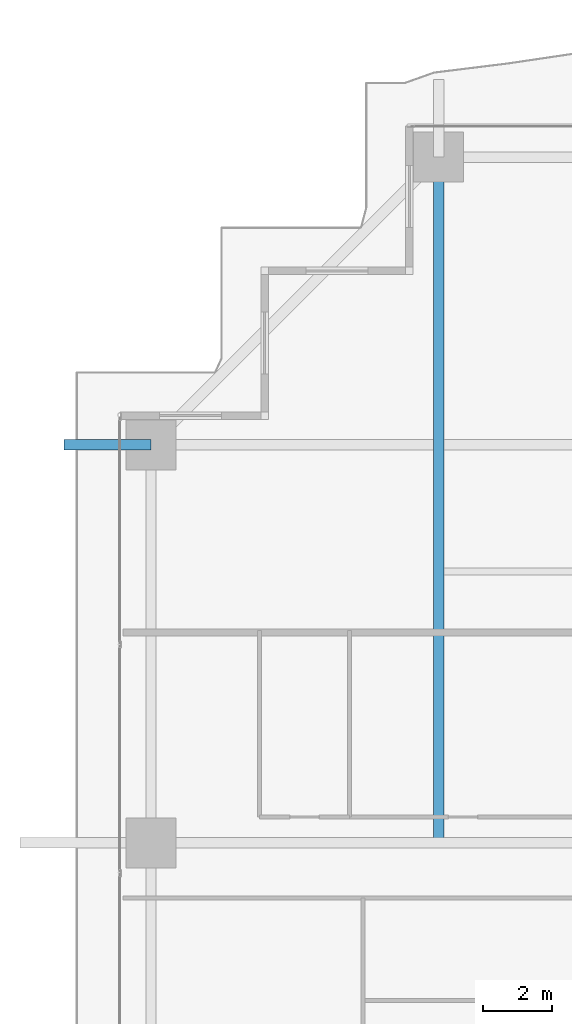
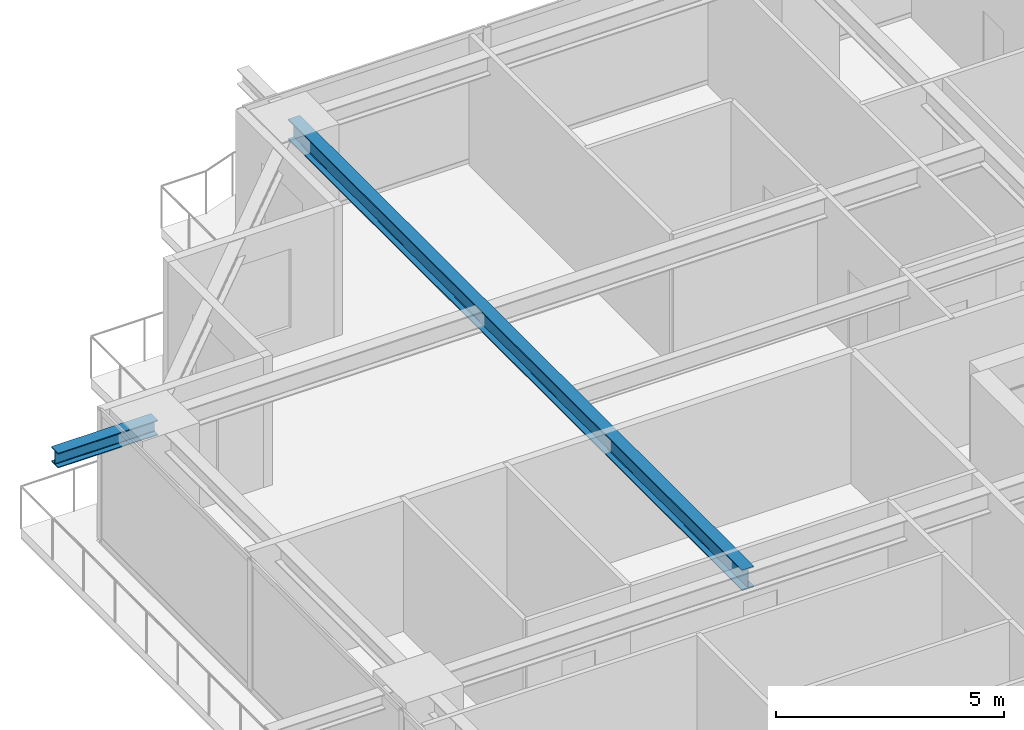
# One storey, part 16 of 38: 2 beams.
"""IFC4 building model written with IfcOpenShell, lengths in metres."""

from ifc_helpers import new_model, si_unit, direction, frame, origin, origin_2d, place, context, subcontext, project, spatial, i_section, extrude, source, transform, mapped, material, material_profile, profile_set, type_object, element, save


model = new_model("IFC4")

# Units and contexts
model_context = context("Model", 3, precision=1e-05, world=origin(), true_north=direction((0.0, 1.0)))
body_context = subcontext(model_context, "Body", "Model", "MODEL_VIEW")
ifc_project = project(units=[si_unit("LENGTHUNIT", "METRE"), si_unit("AREAUNIT", "SQUARE_METRE"), si_unit("VOLUMEUNIT", "CUBIC_METRE"), si_unit("PLANEANGLEUNIT", "RADIAN"), si_unit("MASSUNIT", "GRAM", prefix="KILO")], contexts=[model_context])

# Site, building, storey
site_placement = place(None, origin())
site = spatial("IfcSite", under=ifc_project, at=site_placement, CompositionType="ELEMENT")
building_placement = place(site_placement, origin())
building = spatial("IfcBuilding", under=site, at=building_placement, Name="Serunith Strait Residences", CompositionType="ELEMENT")
storey_placement = place(building_placement, frame((0.0, 0.0, 52.949951171875)))
storey = spatial("IfcBuildingStorey", under=building, at=storey_placement, Name="L12", CompositionType="ELEMENT", Elevation=52.949951171875)

# Beams
ifc_material = material(Name="Steel S355J2", Category="steel")
ifc_material_profile_1 = material_profile(ifc_material, i_section(OverallWidth=0.300048828125, OverallDepth=0.550048828125, WebThickness=0.014892578125, FlangeThickness=0.029052734375, FilletRadius=0.027099609375, at=origin_2d()), Name="HEB 550")
ifc_profile_set_1 = profile_set([ifc_material_profile_1], Name="Steel S355J2")
beam_type_1 = type_object("IfcBeamType", Name="BM-HEB550", PredefinedType="BEAM", material=ifc_profile_set_1)
shared_shape_1 = source(origin(), body_context, "Body", "SweptSolid", [
    extrude(i_section(OverallWidth=0.300048828125, OverallDepth=0.550048828125, WebThickness=0.014892578125, FlangeThickness=0.029052734375, FilletRadius=0.027099609375, at=origin_2d()), origin(), (0.0, 0.0, 1.0), 19.900146484375),
])
beam_1_placement = place(storey_placement, frame((15.25, 29.39990234375, 3.212158203125), z_axis=(0.0, 1.0, 0.0), x_axis=(-1.0, 0.0, 0.0)))
element("IfcBeam", 1, at=beam_1_placement, inside=storey, type_object=beam_type_1, Name="L12 Orthogonal Corner Girder TC-N1", PredefinedType="BEAM", context=body_context, shape_type="MappedRepresentation", body=[
    mapped(shared_shape_1, transform((0.0, 0.0, 0.0), scale=1.0)),
])
ifc_material_profile_2 = material_profile(ifc_material, i_section(OverallWidth=0.300048828125, OverallDepth=0.39990234375, WebThickness=0.013427734375, FlangeThickness=0.02392578125, FilletRadius=0.027099609375, at=origin_2d()), Name="HEB 400")
ifc_profile_set_2 = profile_set([ifc_material_profile_2], Name="Steel S355J2")
beam_type_2 = type_object("IfcBeamType", Name="BM-HEB400", PredefinedType="BEAM", material=ifc_profile_set_2)
shared_shape_2 = source(origin(), body_context, "Body", "SweptSolid", [
    extrude(i_section(OverallWidth=0.300048828125, OverallDepth=0.39990234375, WebThickness=0.013427734375, FlangeThickness=0.02392578125, FilletRadius=0.027099609375, at=origin_2d()), origin(), (0.0, 0.0, 1.0), 2.525146484375),
])
beam_2_placement = place(storey_placement, frame((6.89990234375, 40.949951171875, 3.257080078125), z_axis=(-1.0, 0.0, 0.0), x_axis=(0.0, -1.0, 0.0)))
element("IfcBeam", 2, at=beam_2_placement, inside=storey, type_object=beam_type_2, Name="L13 Cantilevered Balcony Rib TC-W4", PredefinedType="BEAM", context=body_context, shape_type="MappedRepresentation", body=[
    mapped(shared_shape_2, transform((0.0, 0.0, 0.0), scale=1.0)),
])

save(model, "model.ifc")
